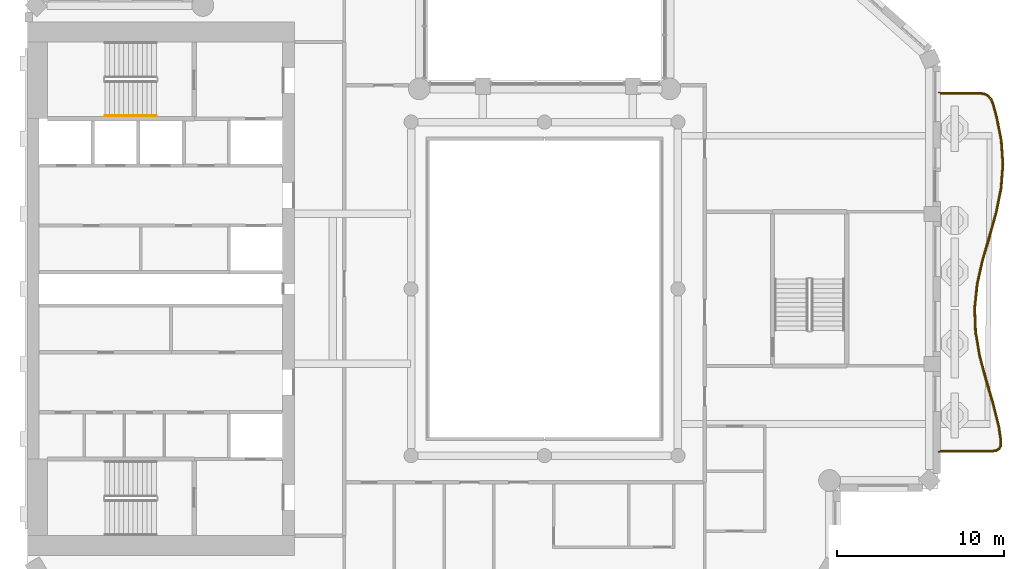
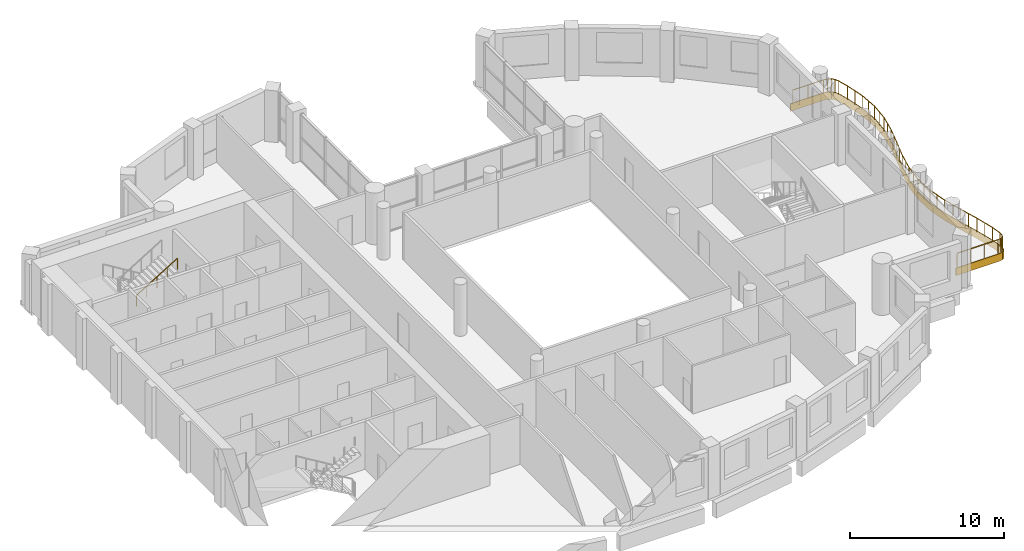
# One storey, part 12 of 14: 2 railings, 1 covering.
"""IFC4 building model written with IfcOpenShell, lengths in metres."""

from ifc_helpers import new_model, si_unit, direction, frame, origin, origin_2d, place, context, subcontext, project, spatial, polyline, rectangle, outline, extrude, material, layer, layer_set, type_object, element, save


model = new_model("IFC4")

# Units and contexts
model_context = context("Model", 3, precision=1e-05, world=origin(), true_north=direction((0.0, 1.0)))
body_context = subcontext(model_context, "Body", "Model", "MODEL_VIEW")
ifc_project = project(units=[si_unit("LENGTHUNIT", "METRE"), si_unit("AREAUNIT", "SQUARE_METRE"), si_unit("VOLUMEUNIT", "CUBIC_METRE"), si_unit("PLANEANGLEUNIT", "RADIAN"), si_unit("MASSUNIT", "GRAM", prefix="KILO")], contexts=[model_context])

# Site, building, storey
site_placement = place(None, origin())
site = spatial("IfcSite", under=ifc_project, at=site_placement, CompositionType="ELEMENT")
building_placement = place(site_placement, origin())
building = spatial("IfcBuilding", under=site, at=building_placement, Name="Cypress Arch Tower", CompositionType="ELEMENT")
storey_placement = place(building_placement, frame((0.0, 0.0, 247.5)))
storey = spatial("IfcBuildingStorey", under=building, at=storey_placement, Name="L55", CompositionType="ELEMENT", Elevation=247.5)

# Covering
ifc_material_1 = material(Name="White powder-coated aluminium fascia", Category="aluminium")
ifc_layer = layer(ifc_material_1, 0.050048828125)
ifc_layer_set = layer_set([ifc_layer], Name="Balcony fascia BF50")
covering_type = type_object("IfcCoveringType", Name="Balcony fascia BF50", PredefinedType="CLADDING", material=ifc_layer_set)
covering_placement = place(storey_placement, frame((0.0, 0.0, -0.60009765625)))
element("IfcCovering", 1, at=covering_placement, inside=storey, type_object=covering_type, Name="Balcony fascia L55-C17", PredefinedType="CLADDING", context=body_context, shape_type="SweptSolid", body=[
    extrude(outline(polyline([(27.05810546875, 11.800048828125), (27.37353515625, 11.758056640625), (27.63232421875, 11.629150390625), (27.825439453125, 11.41455078125), (27.9501953125, 11.12158203125), (28.169921875, 10.328125), (28.452392578125, 8.889892578125), (28.550048828125, 7.44970703125), (28.438232421875, 6.009765625), (28.144775390625, 4.571533203125), (27.74267578125, 3.13623046875), (27.330322265625, 1.704345703125), (27.0087890625, 0.275146484375), (26.8564453125, -1.151611328125), (26.909912109375, -2.578125), (27.15625, -4.006103515625), (27.535888671875, -5.4365234375), (27.956298828125, -6.870361328125), (28.31396484375, -8.30712890625), (28.42822265625, -9.101318359375), (28.42822265625, -9.398193359375), (28.32421875, -9.622802734375), (28.11669921875, -9.757568359375), (27.822998046875, -9.800048828125), (24.60107421875, -9.800048828125), (24.60107421875, -9.75), (27.8193359375, -9.75), (28.0986328125, -9.709716796875), (28.284912109375, -9.5888671875), (28.378173828125, -9.38720703125), (28.378173828125, -9.10498046875), (28.264892578125, -8.316650390625), (27.907958984375, -6.88330078125), (27.48779296875, -5.449951171875), (27.107421875, -4.0166015625), (26.860107421875, -2.583251953125), (26.806396484375, -1.14990234375), (26.95947265625, 0.283447265625), (27.28173828125, 1.716552734375), (27.694580078125, 3.14990234375), (28.09619140625, 4.583251953125), (28.388671875, 6.0166015625), (28.499755859375, 7.449951171875), (28.40283203125, 8.88330078125), (28.12109375, 10.316650390625), (27.90283203125, 11.10498046875), (27.78271484375, 11.38720703125), (27.601318359375, 11.5888671875), (27.35888671875, 11.709716796875), (27.0546875, 11.75), (24.60107421875, 11.75), (24.60107421875, 11.800048828125), (27.05810546875, 11.800048828125)])), origin(), (0.0, 0.0, 1.0), 0.60009765625),
])

# Railings
ifc_material_2 = material(Name="Powder-coated steel posts and rods, 100 mm clear between rods", Category="steel")
railing_type_1 = type_object("IfcRailingType", Name="Balcony guard GR1100", PredefinedType="GUARDRAIL", material=ifc_material_2)
railing_1_placement = place(storey_placement, frame((24.75, 11.699951171875, 0.0)))
element("IfcRailing", 2, at=railing_1_placement, inside=storey, type_object=railing_type_1, Name="Balcony guard L55-C17", PredefinedType="GUARDRAIL", context=body_context, shape_type="SweptSolid", body=[
    extrude(rectangle(XDim=0.050048828125, YDim=0.050048828125, at=origin_2d()), frame((0.0, 0.0, 1.0751953125), z_axis=(1.0, 0.0, 0.0), x_axis=(0.0, 1.0, 0.0)), (0.0, 0.0, 1.0), 2.301513671875),
    extrude(rectangle(XDim=0.050048828125, YDim=0.050048828125, at=origin_2d()), frame((2.301513671875, 0.0, 1.0751953125), z_axis=(0.991307216163, -0.131567485284, 0.0), x_axis=(0.131567485284, 0.991307216163, 0.0)), (0.0, 0.0, 1.0), 0.295166015625),
    extrude(rectangle(XDim=0.050048828125, YDim=0.050048828125, at=origin_2d()), frame((2.593994140625, -0.038818359375, 1.0751953125), z_axis=(0.895197581351, -0.445669485543, 0.0), x_axis=(0.445669485543, 0.895197581351, 0.0)), (0.0, 0.0, 1.0), 0.253173828125),
    extrude(rectangle(XDim=0.050048828125, YDim=0.050048828125, at=origin_2d()), frame((2.820556640625, -0.151611328125, 1.0751953125), z_axis=(0.668538848408, -0.743677220419, 0.0), x_axis=(0.743677220419, 0.668538848408, 0.0)), (0.0, 0.0, 1.0), 0.25341796875),
    extrude(rectangle(XDim=0.050048828125, YDim=0.050048828125, at=origin_2d()), frame((2.989990234375, -0.340087890625, 1.0751953125), z_axis=(0.391420991838, -0.920211718654, 0.0), x_axis=(0.920211718654, 0.391420991838, 0.0)), (0.0, 0.0, 1.0), 0.294921875),
    extrude(rectangle(XDim=0.050048828125, YDim=0.050048828125, at=origin_2d()), frame((3.10546875, -0.611572265625, 1.0751953125), z_axis=(0.267055065429, -0.963681270975, 0.0), x_axis=(0.963681270975, 0.267055065429, 0.0)), (0.0, 0.0, 1.0), 0.812744140625),
    extrude(rectangle(XDim=0.050048828125, YDim=0.050048828125, at=origin_2d()), frame((3.322509765625, -1.394775390625, 1.0751953125), z_axis=(0.192696283881, -0.981258448207, 0.0), x_axis=(0.981258448207, 0.192696283881, 0.0)), (0.0, 0.0, 1.0), 1.455810546875),
    extrude(rectangle(XDim=0.050048828125, YDim=0.050048828125, at=origin_2d()), frame((3.60302734375, -2.8232421875, 1.0751953125), z_axis=(0.067618288668, -0.997711264363, 0.0), x_axis=(0.997711264363, 0.067618288668, 0.0)), (0.0, 0.0, 1.0), 1.4296875),
    extrude(rectangle(XDim=0.050048828125, YDim=0.050048828125, at=origin_2d()), frame((3.69970703125, -4.249755859375, 1.0751953125), z_axis=(-0.07746632143, -0.996994969418, 0.0), x_axis=(0.996994969418, -0.07746632143, 0.0)), (0.0, 0.0, 1.0), 1.430908203125),
    extrude(rectangle(XDim=0.050048828125, YDim=0.050048828125, at=origin_2d()), frame((3.5888671875, -5.67626953125, 1.0751953125), z_axis=(-0.199753337976, -0.979846214448, 0.0), x_axis=(0.979846214448, -0.199753337976, 0.0)), (0.0, 0.0, 1.0), 1.4580078125),
    extrude(rectangle(XDim=0.050048828125, YDim=0.050048828125, at=origin_2d()), frame((3.297607421875, -7.10498046875, 1.0751953125), z_axis=(-0.269837039756, -0.962906003707, 0.0), x_axis=(0.962906003707, -0.269837039756, 0.0)), (0.0, 0.0, 1.0), 1.486572265625),
    extrude(rectangle(XDim=0.050048828125, YDim=0.050048828125, at=origin_2d()), frame((2.896484375, -8.536376953125, 1.0751953125), z_axis=(-0.276707692222, -0.960954136817, 0.0), x_axis=(0.960954136817, -0.276707692222, 0.0)), (0.0, 0.0, 1.0), 1.492919921875),
    extrude(rectangle(XDim=0.050048828125, YDim=0.050048828125, at=origin_2d()), frame((2.4833984375, -9.970947265625, 1.0751953125), z_axis=(-0.219543736877, -0.975602658667, 0.0), x_axis=(0.975602658667, -0.219543736877, 0.0)), (0.0, 0.0, 1.0), 1.473388671875),
    extrude(rectangle(XDim=0.050048828125, YDim=0.050048828125, at=origin_2d()), frame((2.159912109375, -11.408447265625, 1.0751953125), z_axis=(-0.106062758401, -0.994359437668, 0.0), x_axis=(0.994359437668, -0.106062758401, 0.0)), (0.0, 0.0, 1.0), 1.44775390625),
    extrude(rectangle(XDim=0.050048828125, YDim=0.050048828125, at=origin_2d()), frame((2.00634765625, -12.84814453125, 1.0751953125), z_axis=(0.037431376831, -0.999299200454, 0.0), x_axis=(0.999299200454, 0.037431376831, 0.0)), (0.0, 0.0, 1.0), 1.44140625),
    extrude(rectangle(XDim=0.050048828125, YDim=0.050048828125, at=origin_2d()), frame((2.060302734375, -14.28857421875, 1.0751953125), z_axis=(0.170063708136, -0.985433069861, 0.0), x_axis=(0.985433069861, 0.170063708136, 0.0)), (0.0, 0.0, 1.0), 1.4599609375),
    extrude(rectangle(XDim=0.050048828125, YDim=0.050048828125, at=origin_2d()), frame((2.30859375, -15.727294921875, 1.0751953125), z_axis=(0.256506757058, -0.966542437549, 0.0), x_axis=(0.966542437549, 0.256506757058, 0.0)), (0.0, 0.0, 1.0), 1.48583984375),
    extrude(rectangle(XDim=0.050048828125, YDim=0.050048828125, at=origin_2d()), frame((2.689697265625, -17.163330078125, 1.0751953125), z_axis=(0.281192563493, -0.959651364943, 0.0), x_axis=(0.959651364943, 0.281192563493, 0.0)), (0.0, 0.0, 1.0), 1.493408203125),
    extrude(rectangle(XDim=0.050048828125, YDim=0.050048828125, at=origin_2d()), frame((3.109619140625, -18.596435546875, 1.0751953125), z_axis=(0.241755783653, -0.970337127534, 0.0), x_axis=(0.970337127534, 0.241755783653, 0.0)), (0.0, 0.0, 1.0), 1.473388671875),
    extrude(rectangle(XDim=0.050048828125, YDim=0.050048828125, at=origin_2d()), frame((3.4658203125, -20.026123046875, 1.0751953125), z_axis=(0.142372499845, -0.989813149684, 0.0), x_axis=(0.989813149684, 0.142372499845, 0.0)), (0.0, 0.0, 1.0), 0.79052734375),
    extrude(rectangle(XDim=0.050048828125, YDim=0.050048828125, at=origin_2d()), frame((3.578369140625, -20.80859375, 1.0751953125), z_axis=(-0.000912408379, -0.999999583755, 0.0), x_axis=(0.999999583755, -0.000912408379, 0.0)), (0.0, 0.0, 1.0), 0.267578125),
    extrude(rectangle(XDim=0.050048828125, YDim=0.050048828125, at=origin_2d()), frame((3.578125, -21.076171875, 1.0751953125), z_axis=(-0.419688002315, -0.907668431043, 0.0), x_axis=(0.907668431043, -0.419688002315, 0.0)), (0.0, 0.0, 1.0), 0.196533203125),
    extrude(rectangle(XDim=0.050048828125, YDim=0.050048828125, at=origin_2d()), frame((3.49560546875, -21.254638671875, 1.0751953125), z_axis=(-0.838670303302, -0.544639442529, 0.0), x_axis=(0.544639442529, -0.838670303302, 0.0)), (0.0, 0.0, 1.0), 0.19677734375),
    extrude(rectangle(XDim=0.050048828125, YDim=0.050048828125, at=origin_2d()), frame((3.33056640625, -21.36181640625, 1.0751953125), z_axis=(-0.989802869056, -0.142443955325, 0.0), x_axis=(0.142443955325, -0.989802869056, 0.0)), (0.0, 0.0, 1.0), 0.267333984375),
    extrude(rectangle(XDim=0.050048828125, YDim=0.050048828125, at=origin_2d()), frame((3.06591796875, -21.39990234375, 1.0751953125), z_axis=(-1.0, 0.0, 0.0), x_axis=(0.0, -1.0, 0.0)), (0.0, 0.0, 1.0), 3.06591796875),
    extrude(rectangle(XDim=0.0400390625, YDim=0.0400390625, at=origin_2d()), origin(), (0.0, 0.0, 1.0), 1.050048828125),
    extrude(rectangle(XDim=0.0400390625, YDim=0.0400390625, at=origin_2d()), frame((1.15087890625, 0.0, 0.0)), (0.0, 0.0, 1.0), 1.050048828125),
    extrude(rectangle(XDim=0.0400390625, YDim=0.0400390625, at=origin_2d()), frame((2.301513671875, 0.0, 0.0)), (0.0, 0.0, 1.0), 1.050048828125),
    extrude(rectangle(XDim=0.0400390625, YDim=0.0400390625, at=origin_2d()), frame((2.593994140625, -0.038818359375, 0.0)), (0.0, 0.0, 1.0), 1.050048828125),
    extrude(rectangle(XDim=0.0400390625, YDim=0.0400390625, at=origin_2d()), frame((2.820556640625, -0.151611328125, 0.0)), (0.0, 0.0, 1.0), 1.050048828125),
    extrude(rectangle(XDim=0.0400390625, YDim=0.0400390625, at=origin_2d()), frame((2.989990234375, -0.340087890625, 0.0)), (0.0, 0.0, 1.0), 1.050048828125),
    extrude(rectangle(XDim=0.0400390625, YDim=0.0400390625, at=origin_2d()), frame((3.10546875, -0.611572265625, 0.0)), (0.0, 0.0, 1.0), 1.050048828125),
    extrude(rectangle(XDim=0.0400390625, YDim=0.0400390625, at=origin_2d()), frame((3.322509765625, -1.394775390625, 0.0)), (0.0, 0.0, 1.0), 1.050048828125),
    extrude(rectangle(XDim=0.0400390625, YDim=0.0400390625, at=origin_2d()), frame((3.462890625, -2.10888671875, 0.0)), (0.0, 0.0, 1.0), 1.050048828125),
    extrude(rectangle(XDim=0.0400390625, YDim=0.0400390625, at=origin_2d()), frame((3.60302734375, -2.8232421875, 0.0)), (0.0, 0.0, 1.0), 1.050048828125),
    extrude(rectangle(XDim=0.0400390625, YDim=0.0400390625, at=origin_2d()), frame((3.6513671875, -3.53662109375, 0.0)), (0.0, 0.0, 1.0), 1.050048828125),
    extrude(rectangle(XDim=0.0400390625, YDim=0.0400390625, at=origin_2d()), frame((3.69970703125, -4.249755859375, 0.0)), (0.0, 0.0, 1.0), 1.050048828125),
    extrude(rectangle(XDim=0.0400390625, YDim=0.0400390625, at=origin_2d()), frame((3.644287109375, -4.962890625, 0.0)), (0.0, 0.0, 1.0), 1.050048828125),
    extrude(rectangle(XDim=0.0400390625, YDim=0.0400390625, at=origin_2d()), frame((3.5888671875, -5.67626953125, 0.0)), (0.0, 0.0, 1.0), 1.050048828125),
    extrude(rectangle(XDim=0.0400390625, YDim=0.0400390625, at=origin_2d()), frame((3.443359375, -6.390625, 0.0)), (0.0, 0.0, 1.0), 1.050048828125),
    extrude(rectangle(XDim=0.0400390625, YDim=0.0400390625, at=origin_2d()), frame((3.297607421875, -7.10498046875, 0.0)), (0.0, 0.0, 1.0), 1.050048828125),
    extrude(rectangle(XDim=0.0400390625, YDim=0.0400390625, at=origin_2d()), frame((3.09716796875, -7.82080078125, 0.0)), (0.0, 0.0, 1.0), 1.050048828125),
    extrude(rectangle(XDim=0.0400390625, YDim=0.0400390625, at=origin_2d()), frame((2.896484375, -8.536376953125, 0.0)), (0.0, 0.0, 1.0), 1.050048828125),
    extrude(rectangle(XDim=0.0400390625, YDim=0.0400390625, at=origin_2d()), frame((2.68994140625, -9.253662109375, 0.0)), (0.0, 0.0, 1.0), 1.050048828125),
    extrude(rectangle(XDim=0.0400390625, YDim=0.0400390625, at=origin_2d()), frame((2.4833984375, -9.970947265625, 0.0)), (0.0, 0.0, 1.0), 1.050048828125),
    extrude(rectangle(XDim=0.0400390625, YDim=0.0400390625, at=origin_2d()), frame((2.32177734375, -10.689697265625, 0.0)), (0.0, 0.0, 1.0), 1.050048828125),
    extrude(rectangle(XDim=0.0400390625, YDim=0.0400390625, at=origin_2d()), frame((2.159912109375, -11.408447265625, 0.0)), (0.0, 0.0, 1.0), 1.050048828125),
    extrude(rectangle(XDim=0.0400390625, YDim=0.0400390625, at=origin_2d()), frame((2.0830078125, -12.12841796875, 0.0)), (0.0, 0.0, 1.0), 1.050048828125),
    extrude(rectangle(XDim=0.0400390625, YDim=0.0400390625, at=origin_2d()), frame((2.00634765625, -12.84814453125, 0.0)), (0.0, 0.0, 1.0), 1.050048828125),
    extrude(rectangle(XDim=0.0400390625, YDim=0.0400390625, at=origin_2d()), frame((2.033203125, -13.568359375, 0.0)), (0.0, 0.0, 1.0), 1.050048828125),
    extrude(rectangle(XDim=0.0400390625, YDim=0.0400390625, at=origin_2d()), frame((2.060302734375, -14.28857421875, 0.0)), (0.0, 0.0, 1.0), 1.050048828125),
    extrude(rectangle(XDim=0.0400390625, YDim=0.0400390625, at=origin_2d()), frame((2.1845703125, -15.0078125, 0.0)), (0.0, 0.0, 1.0), 1.050048828125),
    extrude(rectangle(XDim=0.0400390625, YDim=0.0400390625, at=origin_2d()), frame((2.30859375, -15.727294921875, 0.0)), (0.0, 0.0, 1.0), 1.050048828125),
    extrude(rectangle(XDim=0.0400390625, YDim=0.0400390625, at=origin_2d()), frame((2.4990234375, -16.4453125, 0.0)), (0.0, 0.0, 1.0), 1.050048828125),
    extrude(rectangle(XDim=0.0400390625, YDim=0.0400390625, at=origin_2d()), frame((2.689697265625, -17.163330078125, 0.0)), (0.0, 0.0, 1.0), 1.050048828125),
    extrude(rectangle(XDim=0.0400390625, YDim=0.0400390625, at=origin_2d()), frame((2.899658203125, -17.8798828125, 0.0)), (0.0, 0.0, 1.0), 1.050048828125),
    extrude(rectangle(XDim=0.0400390625, YDim=0.0400390625, at=origin_2d()), frame((3.109619140625, -18.596435546875, 0.0)), (0.0, 0.0, 1.0), 1.050048828125),
    extrude(rectangle(XDim=0.0400390625, YDim=0.0400390625, at=origin_2d()), frame((3.28759765625, -19.311279296875, 0.0)), (0.0, 0.0, 1.0), 1.050048828125),
    extrude(rectangle(XDim=0.0400390625, YDim=0.0400390625, at=origin_2d()), frame((3.4658203125, -20.026123046875, 0.0)), (0.0, 0.0, 1.0), 1.050048828125),
    extrude(rectangle(XDim=0.0400390625, YDim=0.0400390625, at=origin_2d()), frame((3.578369140625, -20.80859375, 0.0)), (0.0, 0.0, 1.0), 1.050048828125),
    extrude(rectangle(XDim=0.0400390625, YDim=0.0400390625, at=origin_2d()), frame((3.578125, -21.076171875, 0.0)), (0.0, 0.0, 1.0), 1.050048828125),
    extrude(rectangle(XDim=0.0400390625, YDim=0.0400390625, at=origin_2d()), frame((3.49560546875, -21.254638671875, 0.0)), (0.0, 0.0, 1.0), 1.050048828125),
    extrude(rectangle(XDim=0.0400390625, YDim=0.0400390625, at=origin_2d()), frame((3.33056640625, -21.36181640625, 0.0)), (0.0, 0.0, 1.0), 1.050048828125),
    extrude(rectangle(XDim=0.0400390625, YDim=0.0400390625, at=origin_2d()), frame((3.06591796875, -21.39990234375, 0.0)), (0.0, 0.0, 1.0), 1.050048828125),
    extrude(rectangle(XDim=0.0400390625, YDim=0.0400390625, at=origin_2d()), frame((2.0439453125, -21.39990234375, 0.0)), (0.0, 0.0, 1.0), 1.050048828125),
    extrude(rectangle(XDim=0.0400390625, YDim=0.0400390625, at=origin_2d()), frame((1.02197265625, -21.39990234375, 0.0)), (0.0, 0.0, 1.0), 1.050048828125),
    extrude(rectangle(XDim=0.0400390625, YDim=0.0400390625, at=origin_2d()), frame((0.0, -21.39990234375, 0.0)), (0.0, 0.0, 1.0), 1.050048828125),
])
ifc_material_3 = material(Name="Black powder-coated steel square bar 48 mm", Category="steel")
railing_type_2 = type_object("IfcRailingType", Name="Stair handrail HR1", PredefinedType="HANDRAIL", material=ifc_material_3)
railing_2_placement = place(storey_placement, frame((-25.35498046875, 10.375, 2.220947265625)))
element("IfcRailing", 3, at=railing_2_placement, inside=storey, type_object=railing_type_2, Name="L55 B stair handrail 2", PredefinedType="HANDRAIL", context=body_context, shape_type="SweptSolid", body=[
    extrude(rectangle(XDim=0.048095703125, YDim=0.048095703125, at=origin_2d()), frame((0.0, 0.0, 0.8759765625), z_axis=(0.853666305674, 0.0, 0.52082035152), x_axis=(0.0, 1.0, 0.0)), (0.0, 0.0, 1.0), 3.608154296875),
    extrude(rectangle(XDim=0.0419921875, YDim=0.0419921875, at=origin_2d()), origin(), (0.0, 0.0, 1.0), 0.851806640625),
    extrude(rectangle(XDim=0.0419921875, YDim=0.0419921875, at=origin_2d()), frame((0.77001953125, 0.0, 0.4697265625)), (0.0, 0.0, 1.0), 0.851806640625),
    extrude(rectangle(XDim=0.0419921875, YDim=0.0419921875, at=origin_2d()), frame((1.5400390625, 0.0, 0.939453125)), (0.0, 0.0, 1.0), 0.851806640625),
    extrude(rectangle(XDim=0.0419921875, YDim=0.0419921875, at=origin_2d()), frame((2.31005859375, 0.0, 1.409423828125)), (0.0, 0.0, 1.0), 0.851806640625),
    extrude(rectangle(XDim=0.0419921875, YDim=0.0419921875, at=origin_2d()), frame((3.080078125, 0.0, 1.879150390625)), (0.0, 0.0, 1.0), 0.851806640625),
])

save(model, "model.ifc")
